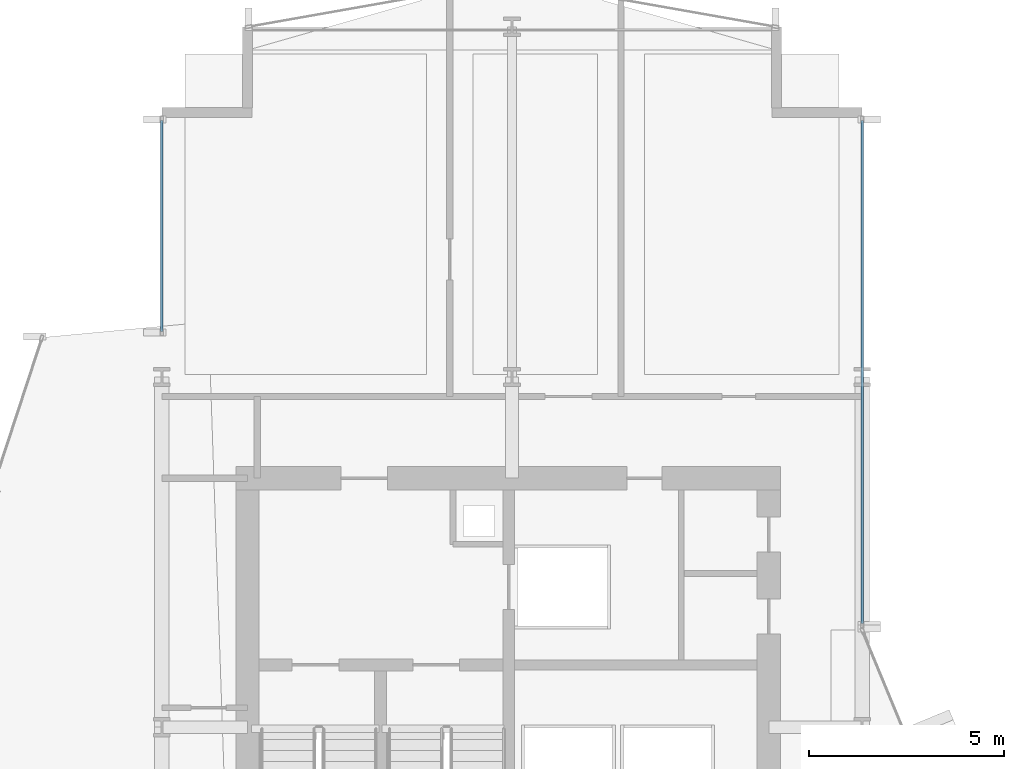
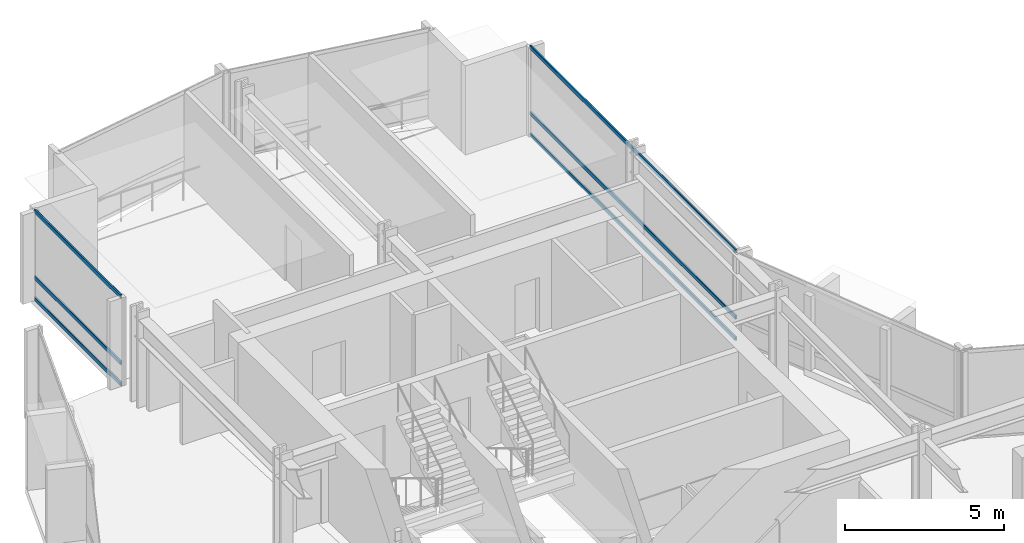
# One storey, part 22 of 34: 6 members, 2 elements without a shape of their own.
"""IFC4 building model written with IfcOpenShell, lengths in metres."""

from ifc_helpers import new_model, si_unit, direction, frame, origin, origin_2d, place, context, subcontext, project, spatial, hollow_rectangle, extrude, material, layer, layer_set, material_profile, profile_set, type_object, element, aggregate, save


model = new_model("IFC4")

# Units and contexts
model_context = context("Model", 3, precision=1e-05, world=origin(), true_north=direction((0.0, 1.0)))
body_context = subcontext(model_context, "Body", "Model", "MODEL_VIEW")
ifc_project = project(units=[si_unit("LENGTHUNIT", "METRE"), si_unit("AREAUNIT", "SQUARE_METRE"), si_unit("VOLUMEUNIT", "CUBIC_METRE"), si_unit("PLANEANGLEUNIT", "RADIAN"), si_unit("MASSUNIT", "GRAM", prefix="KILO")], contexts=[model_context])

# Site, building, storey
site_placement = place(None, origin())
site = spatial("IfcSite", under=ifc_project, at=site_placement, CompositionType="ELEMENT")
building_placement = place(site_placement, origin())
building = spatial("IfcBuilding", under=site, at=building_placement, Name="Solvaryn Broadcast Tower", CompositionType="ELEMENT")
storey_placement = place(building_placement, frame((0.0, 0.0, 50.800048828125)))
storey = spatial("IfcBuildingStorey", under=building, at=storey_placement, Name="L11", CompositionType="ELEMENT", Elevation=50.800048828125)

# Curtain wall, members
ifc_material_1 = material(Name="Aluminium and Terracotta Unitised Curtain Wall", Category="masonry")
ifc_layer = layer(ifc_material_1, 0.199951171875)
ifc_layer_set = layer_set([ifc_layer], Name="CW-SYS2-LOWMID")
curtain_wall_type = type_object("IfcCurtainWallType", Name="CW-SYS2-LOWMID", PredefinedType="NOTDEFINED", material=ifc_layer_set)
curtain_wall_1_placement = place(storey_placement, origin())
curtain_wall_1 = element("IfcCurtainWall", 1, at=curtain_wall_1_placement, inside=storey, type_object=curtain_wall_type, Name="L11 Curtain Wall W2", PredefinedType="NOTDEFINED")
ifc_material_2 = material(Name="Anodised Aluminium 6063-T6", Category="aluminium")
ifc_material_profile = material_profile(ifc_material_2, hollow_rectangle(XDim=0.06494140625, YDim=0.14990234375, WallThickness=0.00390625, InnerFilletRadius=0.00390625, OuterFilletRadius=0.008056640625, at=origin_2d()))
ifc_profile_set = profile_set([ifc_material_profile], Name="Anodised Aluminium 6063-T6")
member_type = type_object("IfcMemberType", Name="CW-TRN-150", PredefinedType="USERDEFINED", material=ifc_profile_set)
member_1_placement = place(storey_placement, frame((9.0, 46.176025390625, 0.030029296875), z_axis=(0.0, 1.0, 0.0), x_axis=(-1.0, 0.0, 0.0)))
member_1 = element("IfcMember", 2, at=member_1_placement, type_object=member_type, Name="CWS2 transom 1.1", ObjectType="TRANSOM", PredefinedType="USERDEFINED", context=body_context, shape_type="SweptSolid", body=[
    extrude(hollow_rectangle(XDim=0.06494140625, YDim=0.14990234375, WallThickness=0.00390625, InnerFilletRadius=0.00390625, OuterFilletRadius=0.008056640625, at=origin_2d()), origin(), (0.0, 0.0, 1.0), 5.4140625),
])
member_2_placement = place(storey_placement, frame((9.0, 46.176025390625, 0.849853515625), z_axis=(0.0, 1.0, 0.0), x_axis=(-1.0, 0.0, 0.0)))
member_2 = element("IfcMember", 3, at=member_2_placement, type_object=member_type, Name="CWS2 transom 1.2", ObjectType="TRANSOM", PredefinedType="USERDEFINED", context=body_context, shape_type="SweptSolid", body=[
    extrude(hollow_rectangle(XDim=0.06494140625, YDim=0.14990234375, WallThickness=0.00390625, InnerFilletRadius=0.00390625, OuterFilletRadius=0.008056640625, at=origin_2d()), origin(), (0.0, 0.0, 1.0), 5.4140625),
])
member_3_placement = place(storey_placement, frame((9.0, 46.176025390625, 3.389892578125), z_axis=(0.0, 1.0, 0.0), x_axis=(-1.0, 0.0, 0.0)))
member_3 = element("IfcMember", 4, at=member_3_placement, type_object=member_type, Name="CWS2 transom 1.3", ObjectType="TRANSOM", PredefinedType="USERDEFINED", context=body_context, shape_type="SweptSolid", body=[
    extrude(hollow_rectangle(XDim=0.06494140625, YDim=0.14990234375, WallThickness=0.00390625, InnerFilletRadius=0.00390625, OuterFilletRadius=0.008056640625, at=origin_2d()), origin(), (0.0, 0.0, 1.0), 5.4140625),
])
aggregate(curtain_wall_1, [member_1, member_2, member_3])

curtain_wall_2_placement = place(storey_placement, origin())
curtain_wall_2 = element("IfcCurtainWall", 5, at=curtain_wall_2_placement, inside=storey, type_object=curtain_wall_type, Name="L11 Curtain Wall IV", PredefinedType="NOTDEFINED")
member_4_placement = place(storey_placement, frame((27.0, 51.590087890625, 0.030029296875), z_axis=(0.0, -1.0, 0.0), x_axis=(1.0, 0.0, 0.0)))
member_4 = element("IfcMember", 6, at=member_4_placement, type_object=member_type, Name="CWS2 transom 1.1", ObjectType="TRANSOM", PredefinedType="USERDEFINED", context=body_context, shape_type="SweptSolid", body=[
    extrude(hollow_rectangle(XDim=0.06494140625, YDim=0.14990234375, WallThickness=0.00390625, InnerFilletRadius=0.00390625, OuterFilletRadius=0.008056640625, at=origin_2d()), origin(), (0.0, 0.0, 1.0), 12.93017578125),
])
member_5_placement = place(storey_placement, frame((27.0, 51.590087890625, 0.849853515625), z_axis=(0.0, -1.0, 0.0), x_axis=(1.0, 0.0, 0.0)))
member_5 = element("IfcMember", 7, at=member_5_placement, type_object=member_type, Name="CWS2 transom 1.2", ObjectType="TRANSOM", PredefinedType="USERDEFINED", context=body_context, shape_type="SweptSolid", body=[
    extrude(hollow_rectangle(XDim=0.06494140625, YDim=0.14990234375, WallThickness=0.00390625, InnerFilletRadius=0.00390625, OuterFilletRadius=0.008056640625, at=origin_2d()), origin(), (0.0, 0.0, 1.0), 12.93017578125),
])
member_6_placement = place(storey_placement, frame((27.0, 51.590087890625, 3.389892578125), z_axis=(0.0, -1.0, 0.0), x_axis=(1.0, 0.0, 0.0)))
member_6 = element("IfcMember", 8, at=member_6_placement, type_object=member_type, Name="CWS2 transom 1.3", ObjectType="TRANSOM", PredefinedType="USERDEFINED", context=body_context, shape_type="SweptSolid", body=[
    extrude(hollow_rectangle(XDim=0.06494140625, YDim=0.14990234375, WallThickness=0.00390625, InnerFilletRadius=0.00390625, OuterFilletRadius=0.008056640625, at=origin_2d()), origin(), (0.0, 0.0, 1.0), 12.93017578125),
])
aggregate(curtain_wall_2, [member_4, member_5, member_6])

save(model, "model.ifc")
